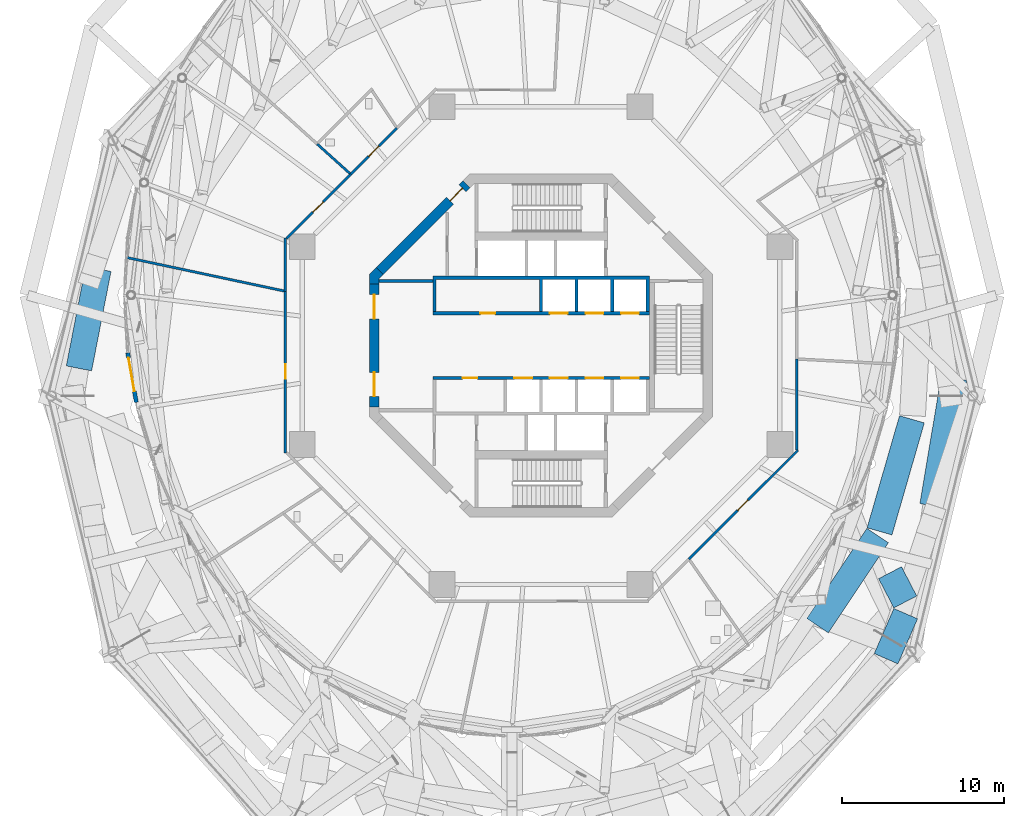
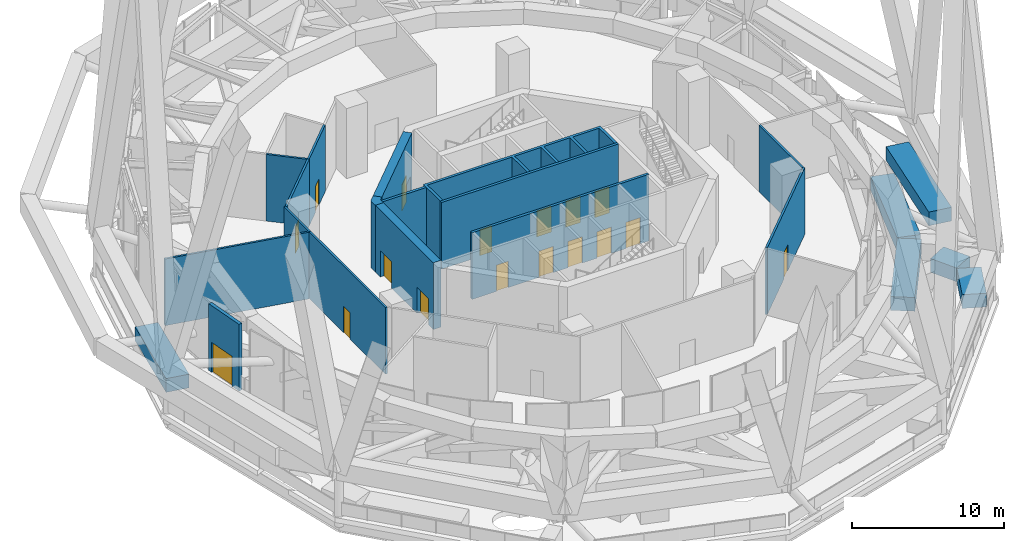
# One storey, part 39 of 48: 22 walls, 17 doors, 17 openings.
"""IFC4 building model written with IfcOpenShell, lengths in metres."""

from ifc_helpers import new_model, si_unit, direction, frame, frame_2d, origin, place, context, subcontext, project, spatial, polyline, rectangle, outline, extrude, material, layer, layer_set, type_object, element, fill, save


model = new_model("IFC4")

# Units and contexts
model_context = context("Model", 3, precision=1e-05, world=origin(), true_north=direction((0.0, 1.0)))
body_context = subcontext(model_context, "Body", "Model", "MODEL_VIEW")
ifc_project = project(units=[si_unit("LENGTHUNIT", "METRE"), si_unit("AREAUNIT", "SQUARE_METRE"), si_unit("VOLUMEUNIT", "CUBIC_METRE"), si_unit("PLANEANGLEUNIT", "RADIAN"), si_unit("MASSUNIT", "GRAM", prefix="KILO")], contexts=[model_context])

# Site, building, storey
site_placement = place(None, origin())
site = spatial("IfcSite", under=ifc_project, at=site_placement, CompositionType="ELEMENT")
building_placement = place(site_placement, origin())
building = spatial("IfcBuilding", under=site, at=building_placement, Name="Nagisa Residences", CompositionType="ELEMENT")
storey_placement = place(building_placement, frame((0.0, 0.0, 252.89990234375)))
storey = spatial("IfcBuildingStorey", under=building, at=storey_placement, Name="L64", CompositionType="ELEMENT", Elevation=252.89990234375)

# Wall, opening, door
ifc_material_1 = material(Name="Precast concrete C40/50", Category="concrete")
ifc_layer_1 = layer(ifc_material_1, 0.25)
ifc_layer_set_1 = layer_set([ifc_layer_1], Name="BALCONY DOOR WALL 250")
wall_type_1 = type_object("IfcWallType", Name="BALCONY DOOR WALL 250", PredefinedType="SOLIDWALL", material=ifc_layer_set_1)
wall_1_placement = place(storey_placement, frame((-25.053466796875, -3.51513671875, 0.0), z_axis=(0.0, 0.0, 1.0), x_axis=(-0.172154239826, 0.985070006502, 0.0)))
wall_1 = element("IfcWall", 1, at=wall_1_placement, inside=storey, type_object=wall_type_1, Name="wall:L64:bay25", PredefinedType="SOLIDWALL", context=body_context, shape_type="SweptSolid", body=[
    extrude(rectangle(XDim=3.1171875, YDim=0.25, at=frame_2d((1.55859375, 0.0))), origin(), (0.0, 0.0, 1.0), 5.340087890625),
])
opening_1_placement = place(wall_1_placement, frame((0.70849609375, 0.0, 0.0)))
opening_1 = element("IfcOpeningElement", 2, at=opening_1_placement, cuts=wall_1, Name="Opening BD-L64-02", PredefinedType="OPENING", context=body_context, shape_type="SweptSolid", body=[
    extrude(rectangle(XDim=2.10009765625, YDim=2.39990234375, at=frame_2d((1.050048828125, 1.199951171875))), frame((0.0, 0.135009765625, 0.0), z_axis=(0.0, -1.0, 0.0), x_axis=(1.0, 0.0, 0.0)), (0.0, 0.0, 1.0), 0.27001953125),
])
ifc_material_2 = material(Name="Aluminium and clear glass", Category="aluminium")
door_type_1 = type_object("IfcDoorType", Name="BALCONY SLIDING DOOR 2100x2400", OperationType="SLIDING_TO_LEFT", PredefinedType="DOOR", material=ifc_material_2)
door_1_placement = place(opening_1_placement, origin())
door_1 = element("IfcDoor", 3, at=door_1_placement, inside=storey, type_object=door_type_1, Name="door:L64:bay25", OperationType="SLIDING_TO_LEFT", OverallHeight=2.39990234375, OverallWidth=2.10009765625, PredefinedType="DOOR", context=body_context, shape_type="SweptSolid", body=[
    extrude(rectangle(XDim=2.10009765625, YDim=2.39990234375, at=frame_2d((1.050048828125, 1.199951171875))), frame((0.0, 0.02490234375, 0.0), z_axis=(0.0, -1.0, 0.0), x_axis=(1.0, 0.0, 0.0)), (0.0, 0.0, 1.0), 0.050048828125),
])
fill(opening_1, door_1)

# Wall
ifc_material_3 = material(Name="Gypsum board on steel studs", Category="steel")
ifc_layer_2 = layer(ifc_material_3, 0.199951171875)
ifc_layer_set_2 = layer_set([ifc_layer_2], Name="Core partition 200")
wall_type_2 = type_object("IfcWallType", Name="Core partition 200", PredefinedType="PARTITIONING", material=ifc_layer_set_2)
wall_2_placement = place(storey_placement, frame((-10.024658203125, 4.0, 0.0), z_axis=(0.0, 0.0, 1.0), x_axis=(1.0, 0.0, 0.0)))
element("IfcWall", 4, at=wall_2_placement, inside=storey, type_object=wall_type_2, Name="wall:L64:PNW", PredefinedType="PARTITIONING", context=body_context, shape_type="SweptSolid", body=[
    extrude(rectangle(XDim=3.32470703125, YDim=0.199951171875, at=frame_2d((1.662353515625, 0.0))), origin(), (0.0, 0.0, 1.0), 5.340087890625),
])

# Wall, opening, door
ifc_material_4 = material(Name="Concrete C60", Category="concrete")
ifc_layer_3 = layer(ifc_material_4, 0.60009765625)
ifc_layer_set_3 = layer_set([ifc_layer_3], Name="Core shear wall 600")
wall_type_3 = type_object("IfcWallType", Name="Core shear wall 600", PredefinedType="SHEAR", material=ifc_layer_set_3)
wall_3_placement = place(storey_placement, frame((-4.613037109375, 9.98828125, 0.0), z_axis=(0.0, 0.0, 1.0), x_axis=(-0.707106781187, -0.707106781187, 0.0)))
wall_3 = element("IfcWall", 5, at=wall_3_placement, inside=storey, type_object=wall_type_3, Name="wall:L64:core:flat3", PredefinedType="SHEAR", context=body_context, shape_type="SweptSolid", body=[
    extrude(rectangle(XDim=7.601806640625, YDim=0.60009765625, at=frame_2d((3.80078125, 0.0))), origin(), (0.0, 0.0, 1.0), 5.340087890625),
])
opening_2_placement = place(wall_3_placement, frame((0.350830078125, 0.0, 0.0)))
opening_2 = element("IfcOpeningElement", 6, at=opening_2_placement, cuts=wall_3, Name="Opening L64-C23", PredefinedType="OPENING", context=body_context, shape_type="SweptSolid", body=[
    extrude(rectangle(XDim=1.10009765625, YDim=2.10009765625, at=frame_2d((0.550048828125, 1.050048828125))), frame((0.0, 0.31005859375, 0.0), z_axis=(0.0, -1.0, 0.0), x_axis=(1.0, 0.0, 0.0)), (0.0, 0.0, 1.0), 0.6201171875),
])
ifc_material_5 = material(Name="Steel fire door", Category="steel")
door_type_2 = type_object("IfcDoorType", Name="Fire door EI60 1100x2100 single swing", OperationType="NOTDEFINED", PredefinedType="DOOR", material=ifc_material_5)
door_2_placement = place(opening_2_placement, origin())
door_2 = element("IfcDoor", 7, at=door_2_placement, inside=storey, type_object=door_type_2, Name="Service lobby door L64", OperationType="SINGLE_SWING_LEFT", OverallHeight=2.10009765625, OverallWidth=1.10009765625, PredefinedType="DOOR", context=body_context, shape_type="SweptSolid", body=[
    extrude(rectangle(XDim=1.10009765625, YDim=2.10009765625, at=frame_2d((0.550048828125, 1.050048828125))), frame((0.0, 0.02490234375, 0.0), z_axis=(0.0, -1.0, 0.0), x_axis=(1.0, 0.0, 0.0)), (0.0, 0.0, 1.0), 0.050048828125),
])
fill(opening_2, door_2)

# Wall, openings, doors
wall_4_placement = place(storey_placement, frame((-10.32470703125, 3.80078125, 0.0), z_axis=(0.0, 0.0, 1.0), x_axis=(0.0, -1.0, 0.0)))
wall_4 = element("IfcWall", 8, at=wall_4_placement, inside=storey, type_object=wall_type_3, Name="wall:L64:core:flat4", PredefinedType="SHEAR", context=body_context, shape_type="SweptSolid", body=[
    extrude(rectangle(XDim=7.6015625, YDim=0.60009765625, at=frame_2d((3.80078125, 0.0))), origin(), (0.0, 0.0, 1.0), 5.340087890625),
])
opening_3_placement = place(wall_4_placement, frame((0.65087890625, 0.0, 0.0)))
opening_3 = element("IfcOpeningElement", 9, at=opening_3_placement, cuts=wall_4, Name="Opening L64-C21", PredefinedType="OPENING", context=body_context, shape_type="SweptSolid", body=[
    extrude(rectangle(XDim=1.5, YDim=2.10009765625, at=frame_2d((0.75, 1.050048828125))), frame((0.0, 0.31005859375, 0.0), z_axis=(0.0, -1.0, 0.0), x_axis=(1.0, 0.0, 0.0)), (0.0, 0.0, 1.0), 0.6201171875),
])
opening_4_placement = place(wall_4_placement, frame((5.450927734375, 0.0, 0.0)))
opening_4 = element("IfcOpeningElement", 10, at=opening_4_placement, cuts=wall_4, Name="Opening L64-C22", PredefinedType="OPENING", context=body_context, shape_type="SweptSolid", body=[
    extrude(rectangle(XDim=1.5, YDim=2.10009765625, at=frame_2d((0.75, 1.050048828125))), frame((0.0, 0.31005859375, 0.0), z_axis=(0.0, -1.0, 0.0), x_axis=(1.0, 0.0, 0.0)), (0.0, 0.0, 1.0), 0.6201171875),
])
ifc_material_6 = material(Name="Steel fire door", Category="steel")
door_type_3 = type_object("IfcDoorType", Name="Fire door EI60 1500x2100 double door single swing", OperationType="DOUBLE_DOOR_SINGLE_SWING", PredefinedType="DOOR", material=ifc_material_6)
door_3_placement = place(opening_3_placement, origin())
door_3 = element("IfcDoor", 11, at=door_3_placement, inside=storey, type_object=door_type_3, Name="Lift lobby door L64 1", OperationType="DOUBLE_DOOR_SINGLE_SWING", OverallHeight=2.10009765625, OverallWidth=1.5, PredefinedType="DOOR", context=body_context, shape_type="SweptSolid", body=[
    extrude(rectangle(XDim=1.5, YDim=2.10009765625, at=frame_2d((0.75, 1.050048828125))), frame((0.0, 0.02490234375, 0.0), z_axis=(0.0, -1.0, 0.0), x_axis=(1.0, 0.0, 0.0)), (0.0, 0.0, 1.0), 0.050048828125),
])
fill(opening_3, door_3)
door_4_placement = place(opening_4_placement, origin())
door_4 = element("IfcDoor", 12, at=door_4_placement, inside=storey, type_object=door_type_3, Name="Lift lobby door L64 2", OperationType="DOUBLE_DOOR_SINGLE_SWING", OverallHeight=2.10009765625, OverallWidth=1.5, PredefinedType="DOOR", context=body_context, shape_type="SweptSolid", body=[
    extrude(rectangle(XDim=1.5, YDim=2.10009765625, at=frame_2d((0.75, 1.050048828125))), frame((0.0, 0.02490234375, 0.0), z_axis=(0.0, -1.0, 0.0), x_axis=(1.0, 0.0, 0.0)), (0.0, 0.0, 1.0), 0.050048828125),
])
fill(opening_4, door_4)

# Wall
wall_5_placement = place(storey_placement, origin())
element("IfcWall", 13, at=wall_5_placement, inside=storey, type_object=wall_type_3, Name="wall:L64:core:pier3", PredefinedType="SHEAR", context=body_context, shape_type="SweptSolid", body=[
    extrude(outline(polyline([(-10.200439453125, 4.8251953125), (-9.776123046875, 4.40087890625), (-10.024658203125, 4.15234375), (-10.024658203125, 3.80078125), (-10.62451171875, 3.80078125), (-10.62451171875, 4.40087890625), (-10.200439453125, 4.8251953125)])), origin(), (0.0, 0.0, 1.0), 5.340087890625),
])

# Wall, openings, doors
ifc_material_7 = material(Name="Concrete C60", Category="concrete")
ifc_layer_4 = layer(ifc_material_7, 0.199951171875)
ifc_layer_set_4 = layer_set([ifc_layer_4], Name="Lift shaft wall 200")
wall_type_4 = type_object("IfcWallType", Name="Lift shaft wall 200", PredefinedType="SOLIDWALL", material=ifc_layer_set_4)
wall_6_placement = place(storey_placement, frame((-6.699951171875, 2.0, 0.0), z_axis=(0.0, 0.0, 1.0), x_axis=(1.0, 0.0, 0.0)))
wall_6 = element("IfcWall", 14, at=wall_6_placement, inside=storey, type_object=wall_type_4, Name="wall:L64:Nfront", PredefinedType="SOLIDWALL", context=body_context, shape_type="SweptSolid", body=[
    extrude(rectangle(XDim=13.39990234375, YDim=0.199951171875, at=frame_2d((6.699951171875, 0.0))), origin(), (0.0, 0.0, 1.0), 5.340087890625),
])
opening_5_placement = place(wall_6_placement, frame((7.25, 0.0, 0.0)))
opening_5 = element("IfcOpeningElement", 15, at=opening_5_placement, cuts=wall_6, Name="Opening L64-C01", PredefinedType="OPENING", context=body_context, shape_type="SweptSolid", body=[
    extrude(rectangle(XDim=1.10009765625, YDim=2.10009765625, at=frame_2d((0.550048828125, 1.050048828125))), frame((0.0, 0.10986328125, 0.0), z_axis=(0.0, -1.0, 0.0), x_axis=(1.0, 0.0, 0.0)), (0.0, 0.0, 1.0), 0.219970703125),
])
opening_6_placement = place(wall_6_placement, frame((9.449951171875, 0.0, 0.0)))
opening_6 = element("IfcOpeningElement", 16, at=opening_6_placement, cuts=wall_6, Name="Opening L64-C02", PredefinedType="OPENING", context=body_context, shape_type="SweptSolid", body=[
    extrude(rectangle(XDim=1.10009765625, YDim=2.10009765625, at=frame_2d((0.550048828125, 1.050048828125))), frame((0.0, 0.10986328125, 0.0), z_axis=(0.0, -1.0, 0.0), x_axis=(1.0, 0.0, 0.0)), (0.0, 0.0, 1.0), 0.219970703125),
])
opening_7_placement = place(wall_6_placement, frame((11.64990234375, 0.0, 0.0)))
opening_7 = element("IfcOpeningElement", 17, at=opening_7_placement, cuts=wall_6, Name="Opening L64-C03", PredefinedType="OPENING", context=body_context, shape_type="SweptSolid", body=[
    extrude(rectangle(XDim=1.10009765625, YDim=2.10009765625, at=frame_2d((0.550048828125, 1.050048828125))), frame((0.0, 0.10986328125, 0.0), z_axis=(0.0, -1.0, 0.0), x_axis=(1.0, 0.0, 0.0)), (0.0, 0.0, 1.0), 0.219970703125),
])
opening_8_placement = place(wall_6_placement, frame((2.949951171875, 0.0, 0.0)))
opening_8 = element("IfcOpeningElement", 18, at=opening_8_placement, cuts=wall_6, Name="Opening L64-C17", PredefinedType="OPENING", context=body_context, shape_type="SweptSolid", body=[
    extrude(rectangle(XDim=0.89990234375, YDim=2.10009765625, at=frame_2d((0.449951171875, 1.050048828125))), frame((0.0, 0.10986328125, 0.0), z_axis=(0.0, -1.0, 0.0), x_axis=(1.0, 0.0, 0.0)), (0.0, 0.0, 1.0), 0.219970703125),
])
ifc_material_8 = material(Name="Steel fire door", Category="steel")
door_type_4 = type_object("IfcDoorType", Name="Fire door EI30 900x2100 single swing", OperationType="NOTDEFINED", PredefinedType="DOOR", material=ifc_material_8)
door_5_placement = place(opening_8_placement, origin())
door_5 = element("IfcDoor", 19, at=door_5_placement, inside=storey, type_object=door_type_4, Name="Housekeeping store door L64", OperationType="SINGLE_SWING_LEFT", OverallHeight=2.10009765625, OverallWidth=0.89990234375, PredefinedType="DOOR", context=body_context, shape_type="SweptSolid", body=[
    extrude(rectangle(XDim=0.89990234375, YDim=2.10009765625, at=frame_2d((0.449951171875, 1.050048828125))), frame((0.0, 0.02490234375, 0.0), z_axis=(0.0, -1.0, 0.0), x_axis=(1.0, 0.0, 0.0)), (0.0, 0.0, 1.0), 0.050048828125),
])
fill(opening_8, door_5)
ifc_material_9 = material(Name="Stainless steel", Category="steel")
door_type_5 = type_object("IfcDoorType", Name="Lift landing door 1100x2100", OperationType="DOUBLE_DOOR_SLIDING", PredefinedType="DOOR", material=ifc_material_9)
door_6_placement = place(opening_5_placement, origin())
door_6 = element("IfcDoor", 20, at=door_6_placement, inside=storey, type_object=door_type_5, Name="Landing door B1 L64", OperationType="DOUBLE_DOOR_SLIDING", OverallHeight=2.10009765625, OverallWidth=1.10009765625, PredefinedType="DOOR", context=body_context, shape_type="SweptSolid", body=[
    extrude(rectangle(XDim=1.10009765625, YDim=2.10009765625, at=frame_2d((0.550048828125, 1.050048828125))), frame((0.0, 0.02490234375, 0.0), z_axis=(0.0, -1.0, 0.0), x_axis=(1.0, 0.0, 0.0)), (0.0, 0.0, 1.0), 0.050048828125),
])
fill(opening_5, door_6)
door_7_placement = place(opening_6_placement, origin())
door_7 = element("IfcDoor", 21, at=door_7_placement, inside=storey, type_object=door_type_5, Name="Landing door B2 L64", OperationType="DOUBLE_DOOR_SLIDING", OverallHeight=2.10009765625, OverallWidth=1.10009765625, PredefinedType="DOOR", context=body_context, shape_type="SweptSolid", body=[
    extrude(rectangle(XDim=1.10009765625, YDim=2.10009765625, at=frame_2d((0.550048828125, 1.050048828125))), frame((0.0, 0.02490234375, 0.0), z_axis=(0.0, -1.0, 0.0), x_axis=(1.0, 0.0, 0.0)), (0.0, 0.0, 1.0), 0.050048828125),
])
fill(opening_6, door_7)
door_8_placement = place(opening_7_placement, origin())
door_8 = element("IfcDoor", 22, at=door_8_placement, inside=storey, type_object=door_type_5, Name="Landing door C1 L64", OperationType="DOUBLE_DOOR_SLIDING", OverallHeight=2.10009765625, OverallWidth=1.10009765625, PredefinedType="DOOR", context=body_context, shape_type="SweptSolid", body=[
    extrude(rectangle(XDim=1.10009765625, YDim=2.10009765625, at=frame_2d((0.550048828125, 1.050048828125))), frame((0.0, 0.02490234375, 0.0), z_axis=(0.0, -1.0, 0.0), x_axis=(1.0, 0.0, 0.0)), (0.0, 0.0, 1.0), 0.050048828125),
])
fill(opening_7, door_8)

wall_7_placement = place(storey_placement, frame((-6.699951171875, -2.0, 0.0), z_axis=(0.0, 0.0, 1.0), x_axis=(1.0, 0.0, 0.0)))
wall_7 = element("IfcWall", 23, at=wall_7_placement, inside=storey, type_object=wall_type_4, Name="wall:L64:Sfront", PredefinedType="SOLIDWALL", context=body_context, shape_type="SweptSolid", body=[
    extrude(rectangle(XDim=13.39990234375, YDim=0.199951171875, at=frame_2d((6.699951171875, 0.0))), origin(), (0.0, 0.0, 1.0), 5.340087890625),
])
opening_9_placement = place(wall_7_placement, frame((5.050048828125, 0.0, 0.0)))
opening_9 = element("IfcOpeningElement", 24, at=opening_9_placement, cuts=wall_7, Name="Opening L64-C04", PredefinedType="OPENING", context=body_context, shape_type="SweptSolid", body=[
    extrude(rectangle(XDim=1.10009765625, YDim=2.10009765625, at=frame_2d((0.550048828125, 1.050048828125))), frame((0.0, 0.10986328125, 0.0), z_axis=(0.0, -1.0, 0.0), x_axis=(1.0, 0.0, 0.0)), (0.0, 0.0, 1.0), 0.219970703125),
])
opening_10_placement = place(wall_7_placement, frame((7.25, 0.0, 0.0)))
opening_10 = element("IfcOpeningElement", 25, at=opening_10_placement, cuts=wall_7, Name="Opening L64-C05", PredefinedType="OPENING", context=body_context, shape_type="SweptSolid", body=[
    extrude(rectangle(XDim=1.10009765625, YDim=2.10009765625, at=frame_2d((0.550048828125, 1.050048828125))), frame((0.0, 0.10986328125, 0.0), z_axis=(0.0, -1.0, 0.0), x_axis=(1.0, 0.0, 0.0)), (0.0, 0.0, 1.0), 0.219970703125),
])
opening_11_placement = place(wall_7_placement, frame((9.449951171875, 0.0, 0.0)))
opening_11 = element("IfcOpeningElement", 26, at=opening_11_placement, cuts=wall_7, Name="Opening L64-C06", PredefinedType="OPENING", context=body_context, shape_type="SweptSolid", body=[
    extrude(rectangle(XDim=1.10009765625, YDim=2.10009765625, at=frame_2d((0.550048828125, 1.050048828125))), frame((0.0, 0.10986328125, 0.0), z_axis=(0.0, -1.0, 0.0), x_axis=(1.0, 0.0, 0.0)), (0.0, 0.0, 1.0), 0.219970703125),
])
opening_12_placement = place(wall_7_placement, frame((11.64990234375, 0.0, 0.0)))
opening_12 = element("IfcOpeningElement", 27, at=opening_12_placement, cuts=wall_7, Name="Opening L64-C07", PredefinedType="OPENING", context=body_context, shape_type="SweptSolid", body=[
    extrude(rectangle(XDim=1.10009765625, YDim=2.10009765625, at=frame_2d((0.550048828125, 1.050048828125))), frame((0.0, 0.10986328125, 0.0), z_axis=(0.0, -1.0, 0.0), x_axis=(1.0, 0.0, 0.0)), (0.0, 0.0, 1.0), 0.219970703125),
])
opening_13_placement = place(wall_7_placement, frame((1.85009765625, 0.0, 0.0)))
opening_13 = element("IfcOpeningElement", 28, at=opening_13_placement, cuts=wall_7, Name="Opening L64-C18", PredefinedType="OPENING", context=body_context, shape_type="SweptSolid", body=[
    extrude(rectangle(XDim=0.89990234375, YDim=2.10009765625, at=frame_2d((0.449951171875, 1.050048828125))), frame((0.0, 0.10986328125, 0.0), z_axis=(0.0, -1.0, 0.0), x_axis=(1.0, 0.0, 0.0)), (0.0, 0.0, 1.0), 0.219970703125),
])
door_9_placement = place(opening_13_placement, frame((0.89990234375, 0.0, 0.0), x_axis=(-1.0, 0.0, 0.0)))
door_9 = element("IfcDoor", 29, at=door_9_placement, inside=storey, type_object=door_type_4, Name="Owner storage door L64", OperationType="SINGLE_SWING_RIGHT", OverallHeight=2.10009765625, OverallWidth=0.89990234375, PredefinedType="DOOR", context=body_context, shape_type="SweptSolid", body=[
    extrude(rectangle(XDim=0.89990234375, YDim=2.10009765625, at=frame_2d((0.449951171875, 1.050048828125))), frame((0.0, 0.02490234375, 0.0), z_axis=(0.0, -1.0, 0.0), x_axis=(1.0, 0.0, 0.0)), (0.0, 0.0, 1.0), 0.050048828125),
])
fill(opening_13, door_9)
door_10_placement = place(opening_9_placement, origin())
door_10 = element("IfcDoor", 30, at=door_10_placement, inside=storey, type_object=door_type_5, Name="Landing door B3 L64", OperationType="DOUBLE_DOOR_SLIDING", OverallHeight=2.10009765625, OverallWidth=1.10009765625, PredefinedType="DOOR", context=body_context, shape_type="SweptSolid", body=[
    extrude(rectangle(XDim=1.10009765625, YDim=2.10009765625, at=frame_2d((0.550048828125, 1.050048828125))), frame((0.0, 0.02490234375, 0.0), z_axis=(0.0, -1.0, 0.0), x_axis=(1.0, 0.0, 0.0)), (0.0, 0.0, 1.0), 0.050048828125),
])
fill(opening_9, door_10)
door_11_placement = place(opening_10_placement, origin())
door_11 = element("IfcDoor", 31, at=door_11_placement, inside=storey, type_object=door_type_5, Name="Landing door B4 L64", OperationType="DOUBLE_DOOR_SLIDING", OverallHeight=2.10009765625, OverallWidth=1.10009765625, PredefinedType="DOOR", context=body_context, shape_type="SweptSolid", body=[
    extrude(rectangle(XDim=1.10009765625, YDim=2.10009765625, at=frame_2d((0.550048828125, 1.050048828125))), frame((0.0, 0.02490234375, 0.0), z_axis=(0.0, -1.0, 0.0), x_axis=(1.0, 0.0, 0.0)), (0.0, 0.0, 1.0), 0.050048828125),
])
fill(opening_10, door_11)
door_12_placement = place(opening_11_placement, origin())
door_12 = element("IfcDoor", 32, at=door_12_placement, inside=storey, type_object=door_type_5, Name="Landing door C2 L64", OperationType="DOUBLE_DOOR_SLIDING", OverallHeight=2.10009765625, OverallWidth=1.10009765625, PredefinedType="DOOR", context=body_context, shape_type="SweptSolid", body=[
    extrude(rectangle(XDim=1.10009765625, YDim=2.10009765625, at=frame_2d((0.550048828125, 1.050048828125))), frame((0.0, 0.02490234375, 0.0), z_axis=(0.0, -1.0, 0.0), x_axis=(1.0, 0.0, 0.0)), (0.0, 0.0, 1.0), 0.050048828125),
])
fill(opening_11, door_12)
door_13_placement = place(opening_12_placement, origin())
door_13 = element("IfcDoor", 33, at=door_13_placement, inside=storey, type_object=door_type_5, Name="Landing door C3 L64", OperationType="DOUBLE_DOOR_SLIDING", OverallHeight=2.10009765625, OverallWidth=1.10009765625, PredefinedType="DOOR", context=body_context, shape_type="SweptSolid", body=[
    extrude(rectangle(XDim=1.10009765625, YDim=2.10009765625, at=frame_2d((0.550048828125, 1.050048828125))), frame((0.0, 0.02490234375, 0.0), z_axis=(0.0, -1.0, 0.0), x_axis=(1.0, 0.0, 0.0)), (0.0, 0.0, 1.0), 0.050048828125),
])
fill(opening_12, door_13)

# Walls
wall_8_placement = place(storey_placement, origin())
element("IfcWall", 34, at=wall_8_placement, inside=storey, type_object=wall_type_4, Name="wall:L64:Nback", PredefinedType="SOLIDWALL", context=body_context, shape_type="SweptSolid", body=[
    extrude(outline(polyline([(-6.699951171875, 4.300048828125), (6.699951171875, 4.300048828125), (6.699951171875, 2.10009765625), (6.5, 2.10009765625), (6.5, 4.10009765625), (4.5, 4.10009765625), (4.5, 2.10009765625), (4.300048828125, 2.10009765625), (4.300048828125, 4.10009765625), (2.300048828125, 4.10009765625), (2.300048828125, 2.10009765625), (2.10009765625, 2.10009765625), (2.10009765625, 4.10009765625), (0.10009765625, 4.10009765625), (0.10009765625, 2.10009765625), (-0.10009765625, 2.10009765625), (-0.10009765625, 4.10009765625), (-6.5, 4.10009765625), (-6.5, 2.10009765625), (-6.699951171875, 2.10009765625), (-6.699951171875, 4.300048828125)])), origin(), (0.0, 0.0, 1.0), 5.340087890625),
])
ifc_material_10 = material(Name="Precast concrete C30/37", Category="concrete")
ifc_layer_5 = layer(ifc_material_10, 1.60009765625)
ifc_layer_set_5 = layer_set([ifc_layer_5], Name="PLANTER")
wall_type_5 = type_object("IfcWallType", Name="PLANTER", PredefinedType="SOLIDWALL", material=ifc_layer_set_5)
wall_9_placement = place(storey_placement, frame((-28.607666015625, -1.412353515625, 0.0), z_axis=(0.0, 0.0, 1.0), x_axis=(0.191382299895, 0.981515570578, 0.0)))
element("IfcWall", 35, at=wall_9_placement, inside=storey, type_object=wall_type_5, Name="planter:L64:deck001", PredefinedType="SOLIDWALL", context=body_context, shape_type="SweptSolid", body=[
    extrude(rectangle(XDim=6.271240234375, YDim=1.60009765625, at=frame_2d((3.1357421875, 0.0))), origin(), (0.0, 0.0, 1.0), 1.10009765625),
])
wall_10_placement = place(storey_placement, frame((17.11181640625, -17.337890625, 0.0), z_axis=(0.0, 0.0, 1.0), x_axis=(0.554674997089, 0.832067093211, 0.0)))
element("IfcWall", 36, at=wall_10_placement, inside=storey, type_object=wall_type_5, Name="planter:L64:deck012", PredefinedType="SOLIDWALL", context=body_context, shape_type="SweptSolid", body=[
    extrude(rectangle(XDim=6.70751953125, YDim=1.60009765625, at=frame_2d((3.353759765625, 0.0))), origin(), (0.0, 0.0, 1.0), 1.10009765625),
])
wall_11_placement = place(storey_placement, frame((20.95166015625, -11.49951171875, 0.0), z_axis=(0.0, 0.0, 1.0), x_axis=(0.277631182754, 0.960687736136, 0.0)))
element("IfcWall", 37, at=wall_11_placement, inside=storey, type_object=wall_type_5, Name="planter:L64:deck013", PredefinedType="SOLIDWALL", context=body_context, shape_type="SweptSolid", body=[
    extrude(rectangle(XDim=7.221435546875, YDim=1.60009765625, at=frame_2d((3.61083984375, 0.0))), origin(), (0.0, 0.0, 1.0), 1.10009765625),
])
wall_12_placement = place(storey_placement, frame((21.603271484375, -14.057861328125, 0.0), z_axis=(0.0, 0.0, 1.0), x_axis=(0.461559904167, -0.88710904339, 0.0)))
element("IfcWall", 38, at=wall_12_placement, inside=storey, type_object=wall_type_5, Name="planter:L64:deck015", PredefinedType="SOLIDWALL", context=body_context, shape_type="SweptSolid", body=[
    extrude(rectangle(XDim=2.040771484375, YDim=1.60009765625, at=frame_2d((1.0205078125, 0.0))), origin(), (0.0, 0.0, 1.0), 1.10009765625),
])
wall_13_placement = place(storey_placement, frame((22.5703125, -16.592529296875, 0.0), z_axis=(0.0, 0.0, 1.0), x_axis=(-0.398805347821, -0.917035601571, 0.0)))
element("IfcWall", 39, at=wall_13_placement, inside=storey, type_object=wall_type_5, Name="planter:L64:deck016", PredefinedType="SOLIDWALL", context=body_context, shape_type="SweptSolid", body=[
    extrude(rectangle(XDim=3.0419921875, YDim=1.60009765625, at=frame_2d((1.52099609375, 0.0))), origin(), (0.0, 0.0, 1.0), 1.10009765625),
])
wall_14_placement = place(storey_placement, frame((25.55859375, -2.023193359375, 0.0), z_axis=(0.0, 0.0, 1.0), x_axis=(-0.16502255575, -0.986289793161, 0.0)))
element("IfcWall", 40, at=wall_14_placement, inside=storey, type_object=wall_type_5, Name="planter:L64:deck018", PredefinedType="SOLIDWALL", context=body_context, shape_type="SweptSolid", body=[
    extrude(rectangle(XDim=7.999267578125, YDim=1.60009765625, at=frame_2d((3.99951171875, 0.0))), origin(), (0.0, 0.0, 1.0), 1.10009765625),
])

# Wall, opening, door
ifc_material_11 = material(Name="Gypsum board on steel studs", Category="steel")
ifc_layer_6 = layer(ifc_material_11, 0.14990234375)
ifc_layer_set_6 = layer_set([ifc_layer_6], Name="Room partition EI60 150")
wall_type_6 = type_object("IfcWallType", Name="Room partition EI60 150", PredefinedType="PARTITIONING", material=ifc_layer_set_6)
wall_15_placement = place(storey_placement, frame((-15.824951171875, -6.6611328125, 0.0), z_axis=(0.0, 0.0, 1.0), x_axis=(0.0, 1.0, 0.0)))
wall_15 = element("IfcWall", 41, at=wall_15_placement, inside=storey, type_object=wall_type_6, Name="wall:L64:am001", PredefinedType="PARTITIONING", context=body_context, shape_type="SweptSolid", body=[
    extrude(rectangle(XDim=10.025146484375, YDim=0.14990234375, at=frame_2d((5.0126953125, 0.0))), origin(), (0.0, 0.0, 1.0), 5.340087890625),
])
opening_14_placement = place(wall_15_placement, frame((4.615478515625, 0.0, 0.0)))
opening_14 = element("IfcOpeningElement", 42, at=opening_14_placement, cuts=wall_15, Name="Opening L64-A04", PredefinedType="OPENING", context=body_context, shape_type="SweptSolid", body=[
    extrude(rectangle(XDim=0.89990234375, YDim=2.10009765625, at=frame_2d((0.449951171875, 1.050048828125))), frame((0.0, 0.0849609375, 0.0), z_axis=(0.0, -1.0, 0.0), x_axis=(1.0, 0.0, 0.0)), (0.0, 0.0, 1.0), 0.169921875),
])
door_14_placement = place(opening_14_placement, origin())
door_14 = element("IfcDoor", 43, at=door_14_placement, inside=storey, type_object=door_type_4, Name="Massage rooms door", OperationType="SINGLE_SWING_RIGHT", OverallHeight=2.10009765625, OverallWidth=0.89990234375, PredefinedType="DOOR", context=body_context, shape_type="SweptSolid", body=[
    extrude(rectangle(XDim=0.89990234375, YDim=2.10009765625, at=frame_2d((0.449951171875, 1.050048828125))), frame((0.0, 0.02490234375, 0.0), z_axis=(0.0, -1.0, 0.0), x_axis=(1.0, 0.0, 0.0)), (0.0, 0.0, 1.0), 0.050048828125),
])
fill(opening_14, door_14)

# Walls
wall_16_placement = place(storey_placement, frame((-15.89990234375, 3.3798828125, 0.0), z_axis=(0.0, 0.0, 1.0), x_axis=(-0.978148189415, 0.20790892127, 0.0)))
element("IfcWall", 44, at=wall_16_placement, inside=storey, type_object=wall_type_6, Name="wall:L64:am002", PredefinedType="PARTITIONING", context=body_context, shape_type="SweptSolid", body=[
    extrude(rectangle(XDim=9.953125, YDim=0.14990234375, at=frame_2d((4.9765625, 0.0))), origin(), (0.0, 0.0, 1.0), 5.340087890625),
])
wall_17_placement = place(storey_placement, frame((-15.824951171875, 3.364013671875, 0.0), z_axis=(0.0, 0.0, 1.0), x_axis=(0.0, 1.0, 0.0)))
element("IfcWall", 45, at=wall_17_placement, inside=storey, type_object=wall_type_6, Name="wall:L64:am003", PredefinedType="PARTITIONING", context=body_context, shape_type="SweptSolid", body=[
    extrude(rectangle(XDim=3.297119140625, YDim=0.14990234375, at=frame_2d((1.6484375, 0.0))), origin(), (0.0, 0.0, 1.0), 5.340087890625),
])

# Wall, opening, door
wall_18_placement = place(storey_placement, frame((-15.75, 6.6298828125, 0.0), z_axis=(0.0, 0.0, 1.0), x_axis=(0.707193665351, 0.707019886345, 0.0)))
wall_18 = element("IfcWall", 46, at=wall_18_placement, inside=storey, type_object=wall_type_6, Name="wall:L64:am004", PredefinedType="PARTITIONING", context=body_context, shape_type="SweptSolid", body=[
    extrude(rectangle(XDim=5.61962890625, YDim=0.14990234375, at=frame_2d((2.809814453125, 0.0))), origin(), (0.0, 0.0, 1.0), 5.340087890625),
])
opening_15_placement = place(wall_18_placement, frame((2.306640625, 0.0, 0.0)))
opening_15 = element("IfcOpeningElement", 47, at=opening_15_placement, cuts=wall_18, Name="Opening L64-A03", PredefinedType="OPENING", context=body_context, shape_type="SweptSolid", body=[
    extrude(rectangle(XDim=0.89990234375, YDim=2.10009765625, at=frame_2d((0.449951171875, 1.050048828125))), frame((0.0, 0.0849609375, 0.0), z_axis=(0.0, -1.0, 0.0), x_axis=(1.0, 0.0, 0.0)), (0.0, 0.0, 1.0), 0.169921875),
])
door_15_placement = place(opening_15_placement, origin())
door_15 = element("IfcDoor", 48, at=door_15_placement, inside=storey, type_object=door_type_4, Name="Thermal hall door", OperationType="SINGLE_SWING_LEFT", OverallHeight=2.10009765625, OverallWidth=0.89990234375, PredefinedType="DOOR", context=body_context, shape_type="SweptSolid", body=[
    extrude(rectangle(XDim=0.89990234375, YDim=2.10009765625, at=frame_2d((0.449951171875, 1.050048828125))), frame((0.0, 0.02490234375, 0.0), z_axis=(0.0, -1.0, 0.0), x_axis=(1.0, 0.0, 0.0)), (0.0, 0.0, 1.0), 0.050048828125),
])
fill(opening_15, door_15)

# Wall
wall_19_placement = place(storey_placement, frame((-11.831787109375, 10.6533203125, 0.0), z_axis=(0.0, 0.0, 1.0), x_axis=(-0.743258557706, 0.669004272331, 0.0)))
element("IfcWall", 49, at=wall_19_placement, inside=storey, type_object=wall_type_6, Name="wall:L64:am010", PredefinedType="PARTITIONING", context=body_context, shape_type="SweptSolid", body=[
    extrude(rectangle(XDim=2.72900390625, YDim=0.14990234375, at=frame_2d((1.364501953125, 0.0))), origin(), (0.0, 0.0, 1.0), 5.340087890625),
])

# Wall, opening, door
wall_20_placement = place(storey_placement, frame((-11.77587890625, 10.60302734375, 0.0), z_axis=(0.0, 0.0, 1.0), x_axis=(0.706985897903, 0.707227643808, 0.0)))
wall_20 = element("IfcWall", 50, at=wall_20_placement, inside=storey, type_object=wall_type_6, Name="wall:L64:am011", PredefinedType="PARTITIONING", context=body_context, shape_type="SweptSolid", body=[
    extrude(rectangle(XDim=4.03955078125, YDim=0.14990234375, at=frame_2d((2.019775390625, 0.0))), origin(), (0.0, 0.0, 1.0), 5.340087890625),
])
opening_16_placement = place(wall_20_placement, frame((1.56982421875, 0.0, 0.0)))
opening_16 = element("IfcOpeningElement", 51, at=opening_16_placement, cuts=wall_20, Name="Opening L64-A01", PredefinedType="OPENING", context=body_context, shape_type="SweptSolid", body=[
    extrude(rectangle(XDim=0.89990234375, YDim=2.10009765625, at=frame_2d((0.449951171875, 1.050048828125))), frame((0.0, 0.0849609375, 0.0), z_axis=(0.0, -1.0, 0.0), x_axis=(1.0, 0.0, 0.0)), (0.0, 0.0, 1.0), 0.169921875),
])
door_16_placement = place(opening_16_placement, origin())
door_16 = element("IfcDoor", 52, at=door_16_placement, inside=storey, type_object=door_type_4, Name="Accessible WC door", OperationType="SINGLE_SWING_LEFT", OverallHeight=2.10009765625, OverallWidth=0.89990234375, PredefinedType="DOOR", context=body_context, shape_type="SweptSolid", body=[
    extrude(rectangle(XDim=0.89990234375, YDim=2.10009765625, at=frame_2d((0.449951171875, 1.050048828125))), frame((0.0, 0.02490234375, 0.0), z_axis=(0.0, -1.0, 0.0), x_axis=(1.0, 0.0, 0.0)), (0.0, 0.0, 1.0), 0.050048828125),
])
fill(opening_16, door_16)

wall_21_placement = place(storey_placement, frame((15.89990234375, -6.47998046875, 0.0), z_axis=(0.0, 0.0, 1.0), x_axis=(-0.70715799483, -0.707055563833, 0.0)))
wall_21 = element("IfcWall", 53, at=wall_21_placement, inside=storey, type_object=wall_type_6, Name="wall:L64:am025", PredefinedType="PARTITIONING", context=body_context, shape_type="SweptSolid", body=[
    extrude(rectangle(XDim=9.533935546875, YDim=0.14990234375, at=frame_2d((4.76708984375, 0.0))), origin(), (0.0, 0.0, 1.0), 5.340087890625),
])
opening_17_placement = place(wall_21_placement, frame((4.3701171875, 0.0, 0.0)))
opening_17 = element("IfcOpeningElement", 54, at=opening_17_placement, cuts=wall_21, Name="Opening L64-A08", PredefinedType="OPENING", context=body_context, shape_type="SweptSolid", body=[
    extrude(rectangle(XDim=0.89990234375, YDim=2.10009765625, at=frame_2d((0.449951171875, 1.050048828125))), frame((0.0, 0.0849609375, 0.0), z_axis=(0.0, -1.0, 0.0), x_axis=(1.0, 0.0, 0.0)), (0.0, 0.0, 1.0), 0.169921875),
])
door_17_placement = place(opening_17_placement, origin())
door_17 = element("IfcDoor", 55, at=door_17_placement, inside=storey, type_object=door_type_4, Name="Spa services store door", OperationType="SINGLE_SWING_RIGHT", OverallHeight=2.10009765625, OverallWidth=0.89990234375, PredefinedType="DOOR", context=body_context, shape_type="SweptSolid", body=[
    extrude(rectangle(XDim=0.89990234375, YDim=2.10009765625, at=frame_2d((0.449951171875, 1.050048828125))), frame((0.0, 0.02490234375, 0.0), z_axis=(0.0, -1.0, 0.0), x_axis=(1.0, 0.0, 0.0)), (0.0, 0.0, 1.0), 0.050048828125),
])
fill(opening_17, door_17)

# Wall
wall_22_placement = place(storey_placement, frame((15.824951171875, -0.8291015625, 0.0), z_axis=(0.0, 0.0, 1.0), x_axis=(0.0, -1.0, 0.0)))
element("IfcWall", 56, at=wall_22_placement, inside=storey, type_object=wall_type_6, Name="wall:L64:am026", PredefinedType="PARTITIONING", context=body_context, shape_type="SweptSolid", body=[
    extrude(rectangle(XDim=5.619873046875, YDim=0.14990234375, at=frame_2d((2.81005859375, 0.0))), origin(), (0.0, 0.0, 1.0), 5.340087890625),
])

save(model, "model.ifc")
